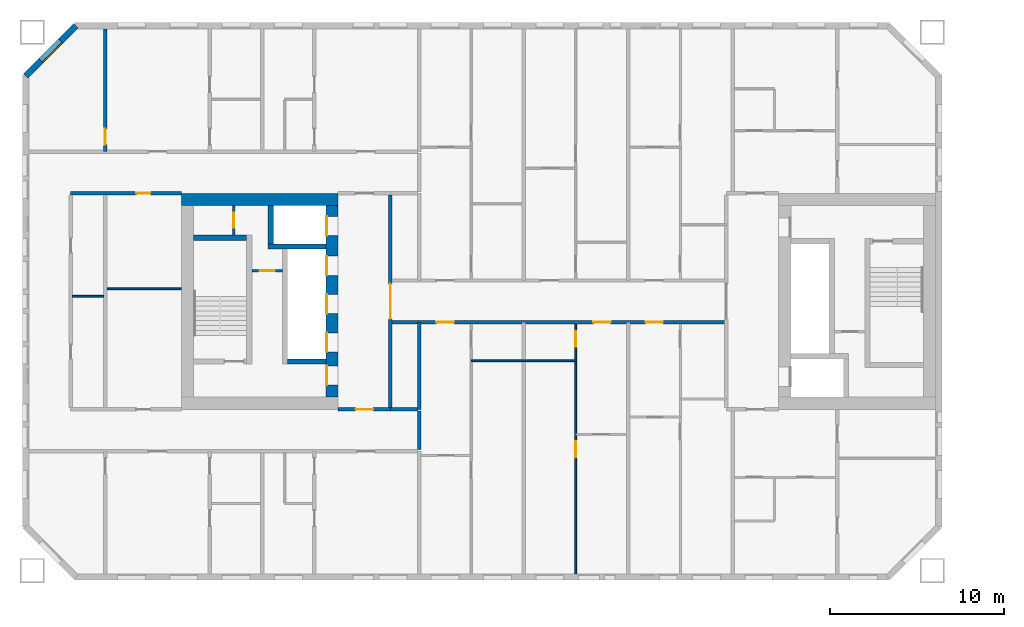
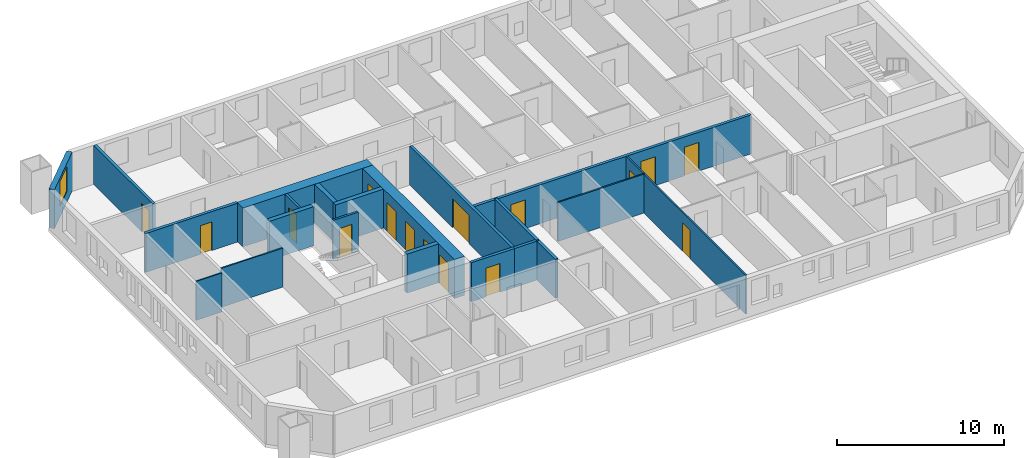
# One storey, part 4 of 17: 21 walls, 16 doors, 1 window, 17 openings.
"""IFC4 building model written with IfcOpenShell, lengths in metres."""

import ifcopenshell
import ifcopenshell.guid

model = None  # the IFC model being written
_history = None  # IfcOwnerHistory: only IFC2X3 demands one
_inside = {}  # id of a spatial element -> (the spatial element, [elements in it])
_under = {}  # id of a project, library or spatial element -> (it, [spatial elements below it])
_declared = {}  # id of a project -> (the project, [libraries it declares])
_typed = {}  # id of a type object -> (the type object, [elements of that type])
_made_of = {}  # id of a material, layer set ... -> (it, [elements and type objects made of it])


def new_model(schema):
    """Start an empty IFC model of exactly this schema.

    Asked for "IFC4X3", IfcOpenShell would pick the latest addendum, in which some entities
    have other attributes; the version numbers below select the first issue.
    IFC2X3 requires an IfcOwnerHistory on every rooted entity: one is made here for all.
    """
    global model, _history
    if schema == "IFC4X3":
        model = ifcopenshell.file(schema_version=(4, 3, 0, 0))
    else:
        model = ifcopenshell.file(schema=schema)
    _inside.clear()
    _under.clear()
    _declared.clear()
    _typed.clear()
    _made_of.clear()
    _history = None
    if model.schema == "IFC2X3":
        org = make("IfcOrganization", Name="unknown")
        user = make(
            "IfcPersonAndOrganization",
            ThePerson=make("IfcPerson", FamilyName="unknown"),
            TheOrganization=org,
        )
        app = make(
            "IfcApplication",
            ApplicationDeveloper=org,
            Version="unknown",
            ApplicationFullName="unknown",
            ApplicationIdentifier="unknown",
        )
        _history = make(
            "IfcOwnerHistory",
            OwningUser=user,
            OwningApplication=app,
            ChangeAction="ADDED",
            CreationDate=0,
        )
    return model


def make(cls, **values):
    """One entity of the class cls with the attributes given. An attribute that is None is left unset."""
    return model.create_entity(
        cls, **{name: value for name, value in values.items() if value is not None}
    )


def rooted(cls, **values):
    """An entity with a GlobalId (a new one), such as an element, a storey or a relation."""
    return make(cls, GlobalId=ifcopenshell.guid.new(), OwnerHistory=_history, **values)


def si_unit(unit_type, name, prefix=None):
    """IfcSIUnit, for example si_unit("LENGTHUNIT", "METRE", prefix="MILLI")."""
    return make("IfcSIUnit", UnitType=unit_type, Prefix=prefix, Name=name)


def assignment(units):
    """IfcUnitAssignment: the units of a project."""
    return None if units is None else make("IfcUnitAssignment", Units=units)


def point(xyz):
    """IfcCartesianPoint."""
    return None if xyz is None else make("IfcCartesianPoint", Coordinates=xyz)


def direction(xyz):
    """IfcDirection."""
    return None if xyz is None else make("IfcDirection", DirectionRatios=xyz)


def frame(location, z_axis=None, x_axis=None):
    """IfcAxis2Placement3D, a coordinate frame: its origin and axes. An axis left out is left unset."""
    return make(
        "IfcAxis2Placement3D",
        Location=point(location),
        Axis=direction(z_axis),
        RefDirection=direction(x_axis),
    )


def frame_2d(location, x_axis=None):
    """IfcAxis2Placement2D, a coordinate frame in the plane: its origin and x axis."""
    return make(
        "IfcAxis2Placement2D", Location=point(location), RefDirection=direction(x_axis)
    )


def origin():
    """The frame at (0, 0, 0) with its axes left unset."""
    return frame((0.0, 0.0, 0.0))


def place(relative_to, where):
    """IfcLocalPlacement: puts the frame where relative to a parent placement (None: the world)."""
    return make(
        "IfcLocalPlacement", PlacementRelTo=relative_to, RelativePlacement=where
    )


def context(
    kind, dimensions, precision=None, world=None, true_north=None, identifier=None
):
    """IfcGeometricRepresentationContext, for example the 3D "Model" context."""
    return make(
        "IfcGeometricRepresentationContext",
        ContextIdentifier=identifier,
        ContextType=kind,
        CoordinateSpaceDimension=dimensions,
        Precision=precision,
        WorldCoordinateSystem=world,
        TrueNorth=true_north,
    )


def subcontext(parent, identifier, kind, view, scale=None):
    """IfcGeometricRepresentationSubContext, for example "Body" below "Model"."""
    return make(
        "IfcGeometricRepresentationSubContext",
        ContextIdentifier=identifier,
        ContextType=kind,
        ParentContext=parent,
        TargetScale=scale,
        TargetView=view,
    )


def project(units=None, contexts=None):
    """IfcProject with its units and contexts."""
    return rooted(
        "IfcProject",
        Name="project",
        RepresentationContexts=contexts,
        UnitsInContext=assignment(units),
    )


def spatial(cls, under=None, at=None, **own):
    """A site, building, storey or space (cls), placed at a placement, below another one or the project."""
    s = rooted(cls, ObjectPlacement=at, **own)
    if under is not None:
        _under.setdefault(under.id(), (under, []))[1].append(s)
    return s


def profile(cls, at=None, kind="AREA", **sizes):
    """A parametric profile (cls). Its sizes go by their IFC names, for example OverallWidth=200.0."""
    return make(cls, ProfileType=kind, Position=at, **sizes)


def rectangle(**sizes):
    """IfcRectangleProfileDef."""
    return profile("IfcRectangleProfileDef", **sizes)


def extrude(swept, where, along, depth):
    """IfcExtrudedAreaSolid: the profile swept, set in the frame where, extruded along a direction by depth."""
    return make(
        "IfcExtrudedAreaSolid",
        SweptArea=swept,
        Position=where,
        ExtrudedDirection=direction(along),
        Depth=depth,
    )


def shape(context_of_items, identifier, shape_type, items):
    """IfcShapeRepresentation: the items that make up one representation, for example the "Body"."""
    return make(
        "IfcShapeRepresentation",
        ContextOfItems=context_of_items,
        RepresentationIdentifier=identifier,
        RepresentationType=shape_type,
        Items=items,
    )


def material(Name=None, Category=None):
    """IfcMaterial."""
    return make("IfcMaterial", Name=Name, Category=Category)


def layer(
    of_material, thickness, ventilated=None, Name=None, Category=None, Priority=None
):
    """IfcMaterialLayer: one layer of a wall or slab, of a material (None: an air gap)."""
    return make(
        "IfcMaterialLayer",
        Material=of_material,
        LayerThickness=thickness,
        IsVentilated=ventilated,
        Name=Name,
        Category=Category,
        Priority=Priority,
    )


def layer_set(layers, Name=None):
    """IfcMaterialLayerSet."""
    return make("IfcMaterialLayerSet", MaterialLayers=layers, LayerSetName=Name)


def made_of(thing, what):
    """Note that an element or type object is made of a material, layer set ...; save() writes the relation."""
    if what is not None:
        _made_of.setdefault(what.id(), (what, []))[1].append(thing)
    return thing


def type_object(cls, material=None, **own):
    """A type object (cls), such as IfcWallType, which elements share."""
    return made_of(rooted(cls, **own), material)


def element(
    cls,
    number,
    at=None,
    inside=None,
    cuts=None,
    type_object=None,
    material=None,
    context=None,
    identifier="Body",
    shape_type=None,
    held_by="IfcProductDefinitionShape",
    body=None,
    shapes=None,
    **own,
):
    """One element of the class cls, such as IfcWall. Its Tag is "e" and its number.

    at: its placement. inside: the storey or other place that contains it. cuts: it is an
    opening in that element (IfcRelVoidsElement). A single representation is given by context,
    identifier, shape_type and body (its items); several are given by shapes. held_by: the class
    of the entity that holds the representations. save() writes the other relations.
    """
    e = rooted(cls, Tag="e%d" % number, ObjectPlacement=at, **own)
    if body is not None:
        shapes = [shape(context, identifier, shape_type, body)]
    if shapes is not None:
        e.Representation = make(held_by, Representations=shapes)
    if inside is not None:
        _inside.setdefault(inside.id(), (inside, []))[1].append(e)
    if cuts is not None:
        rooted(
            "IfcRelVoidsElement", RelatingBuildingElement=cuts, RelatedOpeningElement=e
        )
    if type_object is not None:
        _typed.setdefault(type_object.id(), (type_object, []))[1].append(e)
    return made_of(e, material)


def fill(opening, filler):
    """IfcRelFillsElement: the door or window that sits in an opening."""
    return rooted(
        "IfcRelFillsElement",
        RelatingOpeningElement=opening,
        RelatedBuildingElement=filler,
    )


def aggregate(whole, parts):
    """IfcRelAggregates: a whole, such as a stair, and the parts it consists of."""
    return rooted("IfcRelAggregates", RelatingObject=whole, RelatedObjects=parts)


def save(model, path):
    """Write the relations noted so far, then the file.

    IfcRelAggregates (storeys below a building ...), IfcRelContainedInSpatialStructure (elements
    in a storey), IfcRelDefinesByType, IfcRelAssociatesMaterial and IfcRelDeclares: one each for
    every whole, place, type object, material and project.
    """
    for whole, parts in _under.values():
        aggregate(whole, parts)
    for where, things in _inside.values():
        rooted(
            "IfcRelContainedInSpatialStructure",
            RelatedElements=things,
            RelatingStructure=where,
        )
    for kind, things in _typed.values():
        rooted("IfcRelDefinesByType", RelatedObjects=things, RelatingType=kind)
    for what, things in _made_of.values():
        rooted("IfcRelAssociatesMaterial", RelatedObjects=things, RelatingMaterial=what)
    for by, libraries in _declared.values():
        rooted("IfcRelDeclares", RelatingContext=by, RelatedDefinitions=libraries)
    model.write(path)


model = new_model("IFC4")

# Units and contexts
model_context = context("Model", 3, precision=1e-05, world=origin(), true_north=direction((0.0, 1.0)))
body_context = subcontext(model_context, "Body", "Model", "MODEL_VIEW")
ifc_project = project(units=[si_unit("LENGTHUNIT", "METRE"), si_unit("AREAUNIT", "SQUARE_METRE"), si_unit("VOLUMEUNIT", "CUBIC_METRE"), si_unit("PLANEANGLEUNIT", "RADIAN"), si_unit("MASSUNIT", "GRAM", prefix="KILO")], contexts=[model_context])

# Site, building, storey
site_placement = place(None, origin())
site = spatial("IfcSite", under=ifc_project, at=site_placement, CompositionType="ELEMENT")
building_placement = place(site_placement, origin())
building = spatial("IfcBuilding", under=site, at=building_placement, Name="Tuart Gate Housing", CompositionType="ELEMENT")
storey_placement = place(building_placement, frame((0.0, 0.0, 80.89990234375)))
storey = spatial("IfcBuildingStorey", under=building, at=storey_placement, Name="L22", CompositionType="ELEMENT", Elevation=80.89990234375)

# Wall, opening, window
ifc_material_1 = material(Name="Brick", Category="masonry")
ifc_layer_1 = layer(ifc_material_1, 0.360107421875)
ifc_layer_set_1 = layer_set([ifc_layer_1], Name="Brick pier and spandrel wall 360")
wall_type_1 = type_object("IfcWallType", Name="Brick pier and spandrel wall 360", PredefinedType="STANDARD", material=ifc_layer_set_1)
wall_1_placement = place(storey_placement, frame((26.32470703125, 85.820068359375, 0.0), z_axis=(0.0, 0.0, 1.0), x_axis=(-0.707106781187, -0.707106781187, 0.0)))
wall_1 = element("IfcWall", 1, at=wall_1_placement, inside=storey, type_object=wall_type_1, Name="External wall A-NW L22", PredefinedType="STANDARD", context=body_context, shape_type="SweptSolid", body=[
    extrude(rectangle(XDim=4.09375, YDim=0.360107421875, at=frame_2d((2.046875, 0.0))), origin(), (0.0, 0.0, 1.0), 2.85009765625),
])
opening_1_placement = place(wall_1_placement, frame((1.2470703125, 0.0, 0.800048828125)))
opening_1 = element("IfcOpeningElement", 2, at=opening_1_placement, cuts=wall_1, Name="Opening W1", PredefinedType="OPENING", context=body_context, shape_type="SweptSolid", body=[
    extrude(rectangle(XDim=1.60009765625, YDim=1.800048828125, at=frame_2d((0.800048828125, 0.89990234375))), frame((0.0, 0.18994140625, 0.0), z_axis=(0.0, -1.0, 0.0), x_axis=(1.0, 0.0, 0.0)), (0.0, 0.0, 1.0), 0.380126953125),
])
ifc_material_2 = material(Name="Aluminium frame with clear glass", Category="aluminium")
window_type = type_object("IfcWindowType", Name="Punched window 1600 x 1800", PartitioningType="SINGLE_PANEL", PredefinedType="WINDOW", material=ifc_material_2)
window_placement = place(opening_1_placement, origin())
window = element("IfcWindow", 3, at=window_placement, inside=storey, type_object=window_type, Name="Window W1", OverallHeight=1.800048828125, OverallWidth=1.60009765625, PartitioningType="SINGLE_PANEL", PredefinedType="WINDOW", context=body_context, shape_type="SweptSolid", body=[
    extrude(rectangle(XDim=1.60009765625, YDim=1.800048828125, at=frame_2d((0.800048828125, 0.89990234375))), frame((0.0, 0.150146484375, 0.0), z_axis=(0.0, -1.0, 0.0), x_axis=(1.0, 0.0, 0.0)), (0.0, 0.0, 1.0), 0.06005859375),
])
fill(opening_1, window)

# Wall, opening, door
ifc_material_3 = material(Name="Plasterboard partition")
ifc_layer_2 = layer(ifc_material_3, 0.14990234375)
ifc_layer_set_2 = layer_set([ifc_layer_2], Name="Core partition 150")
wall_type_2 = type_object("IfcWallType", Name="Core partition 150", PredefinedType="PARTITIONING", material=ifc_layer_set_2)
wall_2_placement = place(storey_placement, frame((38.159912109375, 71.75, 0.0), z_axis=(0.0, 0.0, 1.0), x_axis=(-1.0, 0.0, 0.0)))
wall_2 = element("IfcWall", 4, at=wall_2_placement, inside=storey, type_object=wall_type_2, Name="Core partition AK.3", PredefinedType="PARTITIONING", context=body_context, shape_type="SweptSolid", body=[
    extrude(rectangle(XDim=1.75, YDim=0.14990234375, at=frame_2d((0.875, 0.0))), origin(), (0.0, 0.0, 1.0), 2.85009765625),
])
opening_2_placement = place(wall_2_placement, frame((0.449951171875, 0.0, 0.0)))
opening_2 = element("IfcOpeningElement", 5, at=opening_2_placement, cuts=wall_2, Name="Opening D975", PredefinedType="OPENING", context=body_context, shape_type="SweptSolid", body=[
    extrude(rectangle(XDim=0.85009765625, YDim=2.10009765625, at=frame_2d((0.425048828125, 1.050048828125))), frame((0.0, 0.0849609375, 0.0), z_axis=(0.0, -1.0, 0.0), x_axis=(1.0, 0.0, 0.0)), (0.0, 0.0, 1.0), 0.169921875),
])
ifc_material_4 = material(Name="Steel fire door", Category="steel")
door_type_1 = type_object("IfcDoorType", Name="Riser door 850 x 2100 RH", OperationType="SINGLE_SWING_RIGHT", PredefinedType="DOOR", material=ifc_material_4)
door_1_placement = place(opening_2_placement, frame((0.85009765625, 0.0, 0.0), z_axis=(0.0, 0.0, 1.0), x_axis=(-1.0, 0.0, 0.0)))
door_1 = element("IfcDoor", 6, at=door_1_placement, inside=storey, type_object=door_type_1, Name="Service room door AK.E1", OperationType="SINGLE_SWING_RIGHT", OverallHeight=2.10009765625, OverallWidth=0.85009765625, PredefinedType="DOOR", context=body_context, shape_type="SweptSolid", body=[
    extrude(rectangle(XDim=0.85009765625, YDim=2.10009765625, at=frame_2d((0.425048828125, 1.050048828125))), frame((0.0, 0.025146484375, 0.0), z_axis=(0.0, -1.0, 0.0), x_axis=(1.0, 0.0, 0.0)), (0.0, 0.0, 1.0), 0.050048828125),
])
fill(opening_2, door_1)

wall_3_placement = place(storey_placement, frame((35.360107421875, 75.5, 0.0), z_axis=(0.0, 0.0, 1.0), x_axis=(0.0, -1.0, 0.0)))
wall_3 = element("IfcWall", 7, at=wall_3_placement, inside=storey, type_object=wall_type_2, Name="Core partition AK.9", PredefinedType="PARTITIONING", context=body_context, shape_type="SweptSolid", body=[
    extrude(rectangle(XDim=1.699951171875, YDim=0.14990234375, at=frame_2d((0.85009765625, 0.0))), origin(), (0.0, 0.0, 1.0), 2.85009765625),
])
opening_3_placement = place(wall_3_placement, frame((0.425048828125, 0.0, 0.0)))
opening_3 = element("IfcOpeningElement", 8, at=opening_3_placement, cuts=wall_3, Name="Opening D973", PredefinedType="OPENING", context=body_context, shape_type="SweptSolid", body=[
    extrude(rectangle(XDim=0.85009765625, YDim=2.10009765625, at=frame_2d((0.425048828125, 1.050048828125))), frame((0.0, 0.0849609375, 0.0), z_axis=(0.0, -1.0, 0.0), x_axis=(1.0, 0.0, 0.0)), (0.0, 0.0, 1.0), 0.169921875),
])
ifc_material_5 = material(Name="Steel fire door", Category="steel")
door_type_2 = type_object("IfcDoorType", Name="Service door 850 x 2100", OperationType="SINGLE_SWING_LEFT", PredefinedType="DOOR", material=ifc_material_5)
door_2_placement = place(opening_3_placement, origin())
door_2 = element("IfcDoor", 9, at=door_2_placement, inside=storey, type_object=door_type_2, Name="Service room door AK.E2", OperationType="SINGLE_SWING_LEFT", OverallHeight=2.10009765625, OverallWidth=0.85009765625, PredefinedType="DOOR", context=body_context, shape_type="SweptSolid", body=[
    extrude(rectangle(XDim=0.85009765625, YDim=2.10009765625, at=frame_2d((0.425048828125, 1.050048828125))), frame((0.0, 0.02490234375, 0.0), z_axis=(0.0, -1.0, 0.0), x_axis=(1.0, 0.0, 0.0)), (0.0, 0.0, 1.0), 0.050048828125),
])
fill(opening_3, door_2)

# Walls
ifc_material_6 = material(Name="Concrete C50", Category="concrete")
ifc_layer_3 = layer(ifc_material_6, 0.300048828125)
ifc_layer_set_3 = layer_set([ifc_layer_3], Name="Core wall 300 C50")
wall_type_3 = type_object("IfcWallType", Name="Core wall 300 C50", PredefinedType="SHEAR", material=ifc_layer_set_3)
wall_4_placement = place(storey_placement, frame((36.110107421875, 73.64990234375, 0.0), z_axis=(0.0, 0.0, 1.0), x_axis=(-1.0, 0.0, 0.0)))
element("IfcWall", 10, at=wall_4_placement, inside=storey, type_object=wall_type_3, Name="Core wall AK.1", PredefinedType="SHEAR", context=body_context, shape_type="SweptSolid", body=[
    extrude(rectangle(XDim=3.050048828125, YDim=0.300048828125, at=frame_2d((1.52490234375, 0.0))), origin(), (0.0, 0.0, 1.0), 2.85009765625),
])
wall_5_placement = place(storey_placement, frame((40.659912109375, 73.14990234375, 0.0), z_axis=(0.0, 0.0, 1.0), x_axis=(-1.0, 0.0, 0.0)))
element("IfcWall", 11, at=wall_5_placement, inside=storey, type_object=wall_type_3, Name="Core wall AK.2", PredefinedType="SHEAR", context=body_context, shape_type="SweptSolid", body=[
    extrude(rectangle(XDim=3.31982421875, YDim=0.300048828125, at=frame_2d((1.659912109375, 0.0))), origin(), (0.0, 0.0, 1.0), 2.85009765625),
])
for number, where, z_axis, x_axis, name in (
    (12, (40.659912109375, 66.550048828125, 0.0), (0.0, 0.0, 1.0), (-1.0, 0.0, 0.0), "Core wall AK.4"),
    (13, (37.489990234375, 75.5, 0.0), (0.0, 0.0, 1.0), (0.0, -1.0, 0.0), "Core wall AK.7"),
):
    element("IfcWall", number, at=place(storey_placement, frame(where, z_axis=z_axis, x_axis=x_axis)), inside=storey, type_object=wall_type_3, Name=name, PredefinedType="SHEAR", context=body_context, shape_type="SweptSolid", body=[
        extrude(rectangle(XDim=2.199951171875, YDim=0.300048828125, at=frame_2d((1.10009765625, 0.0))), origin(), (0.0, 0.0, 1.0), 2.85009765625),
    ])

# Wall, openings, doors
ifc_material_7 = material(Name="Concrete C50", Category="concrete")
ifc_layer_4 = layer(ifc_material_7, 0.699951171875)
ifc_layer_set_4 = layer_set([ifc_layer_4], Name="Core wall 700 C50")
wall_type_4 = type_object("IfcWallType", Name="Core wall 700 C50", PredefinedType="SHEAR", material=ifc_layer_set_4)
wall_6_placement = place(storey_placement, frame((41.010009765625, 75.5, 0.0), z_axis=(0.0, 0.0, 1.0), x_axis=(0.0, -1.0, 0.0)))
wall_6 = element("IfcWall", 14, at=wall_6_placement, inside=storey, type_object=wall_type_4, Name="Core wall AK front", PredefinedType="SHEAR", context=body_context, shape_type="SweptSolid", body=[
    extrude(rectangle(XDim=11.0, YDim=0.699951171875, at=frame_2d((5.5, 0.0))), origin(), (0.0, 0.0, 1.0), 2.85009765625),
])
opening_4_placement = place(wall_6_placement, frame((0.625, 0.0, 0.0)))
opening_4 = element("IfcOpeningElement", 15, at=opening_4_placement, cuts=wall_6, Name="Opening LD-FA2", PredefinedType="OPENING", context=body_context, shape_type="SweptSolid", body=[
    extrude(rectangle(XDim=1.10009765625, YDim=2.10009765625, at=frame_2d((0.550048828125, 1.050048828125))), frame((0.0, 0.35986328125, 0.0), z_axis=(0.0, -1.0, 0.0), x_axis=(1.0, 0.0, 0.0)), (0.0, 0.0, 1.0), 0.719970703125),
])
opening_5_placement = place(wall_6_placement, frame((2.89990234375, 0.0, 0.0)))
opening_5 = element("IfcOpeningElement", 16, at=opening_5_placement, cuts=wall_6, Name="Opening LD-LA4", PredefinedType="OPENING", context=body_context, shape_type="SweptSolid", body=[
    extrude(rectangle(XDim=1.10009765625, YDim=2.10009765625, at=frame_2d((0.550048828125, 1.050048828125))), frame((0.0, 0.35986328125, 0.0), z_axis=(0.0, -1.0, 0.0), x_axis=(1.0, 0.0, 0.0)), (0.0, 0.0, 1.0), 0.719970703125),
])
opening_6_placement = place(wall_6_placement, frame((5.10009765625, 0.0, 0.0)))
opening_6 = element("IfcOpeningElement", 17, at=opening_6_placement, cuts=wall_6, Name="Opening LD-LA5", PredefinedType="OPENING", context=body_context, shape_type="SweptSolid", body=[
    extrude(rectangle(XDim=1.10009765625, YDim=2.10009765625, at=frame_2d((0.550048828125, 1.050048828125))), frame((0.0, 0.35986328125, 0.0), z_axis=(0.0, -1.0, 0.0), x_axis=(1.0, 0.0, 0.0)), (0.0, 0.0, 1.0), 0.719970703125),
])
opening_7_placement = place(wall_6_placement, frame((7.300048828125, 0.0, 0.0)))
opening_7 = element("IfcOpeningElement", 18, at=opening_7_placement, cuts=wall_6, Name="Opening LD-LA6", PredefinedType="OPENING", context=body_context, shape_type="SweptSolid", body=[
    extrude(rectangle(XDim=1.10009765625, YDim=2.10009765625, at=frame_2d((0.550048828125, 1.050048828125))), frame((0.0, 0.35986328125, 0.0), z_axis=(0.0, -1.0, 0.0), x_axis=(1.0, 0.0, 0.0)), (0.0, 0.0, 1.0), 0.719970703125),
])
opening_8_placement = place(wall_6_placement, frame((9.199951171875, 0.0, 0.0)))
opening_8 = element("IfcOpeningElement", 19, at=opening_8_placement, cuts=wall_6, Name="Opening D981", PredefinedType="OPENING", context=body_context, shape_type="SweptSolid", body=[
    extrude(rectangle(XDim=1.10009765625, YDim=2.10009765625, at=frame_2d((0.550048828125, 1.050048828125))), frame((0.0, 0.35986328125, 0.0), z_axis=(0.0, -1.0, 0.0), x_axis=(1.0, 0.0, 0.0)), (0.0, 0.0, 1.0), 0.719970703125),
])
ifc_material_8 = material(Name="Stainless steel", Category="steel")
door_type_3 = type_object("IfcDoorType", Name="Landing door 1100 x 2100", OperationType="DOUBLE_DOOR_SLIDING", PredefinedType="DOOR", material=ifc_material_8)
door_3_placement = place(opening_4_placement, origin())
door_3 = element("IfcDoor", 20, at=door_3_placement, inside=storey, type_object=door_type_3, Name="Lift landing door FA2", OperationType="DOUBLE_DOOR_SLIDING", OverallHeight=2.10009765625, OverallWidth=1.10009765625, PredefinedType="DOOR", context=body_context, shape_type="SweptSolid", body=[
    extrude(rectangle(XDim=1.10009765625, YDim=2.10009765625, at=frame_2d((0.550048828125, 1.050048828125))), frame((0.0, -0.28515625, 0.0), z_axis=(0.0, -1.0, 0.0), x_axis=(1.0, 0.0, 0.0)), (0.0, 0.0, 1.0), 0.050048828125),
])
fill(opening_4, door_3)
door_4_placement = place(opening_5_placement, origin())
door_4 = element("IfcDoor", 21, at=door_4_placement, inside=storey, type_object=door_type_3, Name="Lift landing door LA4", OperationType="DOUBLE_DOOR_SLIDING", OverallHeight=2.10009765625, OverallWidth=1.10009765625, PredefinedType="DOOR", context=body_context, shape_type="SweptSolid", body=[
    extrude(rectangle(XDim=1.10009765625, YDim=2.10009765625, at=frame_2d((0.550048828125, 1.050048828125))), frame((0.0, -0.28515625, 0.0), z_axis=(0.0, -1.0, 0.0), x_axis=(1.0, 0.0, 0.0)), (0.0, 0.0, 1.0), 0.050048828125),
])
fill(opening_5, door_4)
door_5_placement = place(opening_6_placement, origin())
door_5 = element("IfcDoor", 22, at=door_5_placement, inside=storey, type_object=door_type_3, Name="Lift landing door LA5", OperationType="DOUBLE_DOOR_SLIDING", OverallHeight=2.10009765625, OverallWidth=1.10009765625, PredefinedType="DOOR", context=body_context, shape_type="SweptSolid", body=[
    extrude(rectangle(XDim=1.10009765625, YDim=2.10009765625, at=frame_2d((0.550048828125, 1.050048828125))), frame((0.0, -0.28515625, 0.0), z_axis=(0.0, -1.0, 0.0), x_axis=(1.0, 0.0, 0.0)), (0.0, 0.0, 1.0), 0.050048828125),
])
fill(opening_6, door_5)
door_6_placement = place(opening_7_placement, origin())
door_6 = element("IfcDoor", 23, at=door_6_placement, inside=storey, type_object=door_type_3, Name="Lift landing door LA6", OperationType="DOUBLE_DOOR_SLIDING", OverallHeight=2.10009765625, OverallWidth=1.10009765625, PredefinedType="DOOR", context=body_context, shape_type="SweptSolid", body=[
    extrude(rectangle(XDim=1.10009765625, YDim=2.10009765625, at=frame_2d((0.550048828125, 1.050048828125))), frame((0.0, -0.28515625, 0.0), z_axis=(0.0, -1.0, 0.0), x_axis=(1.0, 0.0, 0.0)), (0.0, 0.0, 1.0), 0.050048828125),
])
fill(opening_7, door_6)
ifc_material_9 = material(Name="Steel fire door", Category="steel")
door_type_4 = type_object("IfcDoorType", Name="Lobby door 1100 x 2100 RH", OperationType="SINGLE_SWING_RIGHT", PredefinedType="DOOR", material=ifc_material_9)
door_7_placement = place(opening_8_placement, frame((1.10009765625, 0.0, 0.0), z_axis=(0.0, 0.0, 1.0), x_axis=(-1.0, 0.0, 0.0)))
door_7 = element("IfcDoor", 24, at=door_7_placement, inside=storey, type_object=door_type_4, Name="Lobby entry door AK.EN", OperationType="SINGLE_SWING_RIGHT", OverallHeight=2.10009765625, OverallWidth=1.10009765625, PredefinedType="DOOR", context=body_context, shape_type="SweptSolid", body=[
    extrude(rectangle(XDim=1.10009765625, YDim=2.10009765625, at=frame_2d((0.550048828125, 1.050048828125))), frame((0.0, 0.335205078125, 0.0), z_axis=(0.0, -1.0, 0.0), x_axis=(1.0, 0.0, 0.0)), (0.0, 0.0, 1.0), 0.050048828125),
])
fill(opening_8, door_7)

# Walls
wall_7_placement = place(storey_placement, frame((41.360107421875, 75.85009765625, 0.0), z_axis=(0.0, 0.0, 1.0), x_axis=(-1.0, 0.0, 0.0)))
element("IfcWall", 25, at=wall_7_placement, inside=storey, type_object=wall_type_4, Name="Core wall AK south", PredefinedType="SHEAR", context=body_context, shape_type="SweptSolid", body=[
    extrude(rectangle(XDim=9.0, YDim=0.699951171875, at=frame_2d((4.5, 0.0))), origin(), (0.0, 0.0, 1.0), 2.85009765625),
])
ifc_material_10 = material(Name="Concrete masonry 15 MPa", Category="masonry")
ifc_layer_5 = layer(ifc_material_10, 0.199951171875)
ifc_layer_set_5 = layer_set([ifc_layer_5], Name="Corridor wall masonry 200")
wall_type_5 = type_object("IfcWallType", Name="Corridor wall masonry 200", PredefinedType="PARTITIONING", material=ifc_layer_set_5)
wall_8_placement = place(storey_placement, frame((44.360107421875, 63.800048828125, 0.0), z_axis=(0.0, 0.0, 1.0), x_axis=(1.0, 0.0, 0.0)))
element("IfcWall", 26, at=wall_8_placement, inside=storey, type_object=wall_type_5, Name="Corridor wall masonry 200", PredefinedType="PARTITIONING", context=body_context, shape_type="SweptSolid", body=[
    extrude(rectangle(XDim=1.539794921875, YDim=0.199951171875, at=frame_2d((0.77001953125, 0.0))), origin(), (0.0, 0.0, 1.0), 2.85009765625),
])

# Wall, openings, doors
wall_9_placement = place(storey_placement, frame((44.360107421875, 68.800048828125, 0.0), z_axis=(0.0, 0.0, 1.0), x_axis=(1.0, 0.0, 0.0)))
wall_9 = element("IfcWall", 27, at=wall_9_placement, inside=storey, type_object=wall_type_5, Name="Corridor wall masonry 200", PredefinedType="PARTITIONING", context=body_context, shape_type="SweptSolid", body=[
    extrude(rectangle(XDim=19.27978515625, YDim=0.199951171875, at=frame_2d((9.639892578125, 0.0))), origin(), (0.0, 0.0, 1.0), 2.85009765625),
])
opening_9_placement = place(wall_9_placement, frame((14.639892578125, 0.0, 0.0)))
opening_9 = element("IfcOpeningElement", 28, at=opening_9_placement, cuts=wall_9, Name="Opening D985", PredefinedType="OPENING", context=body_context, shape_type="SweptSolid", body=[
    extrude(rectangle(XDim=1.0, YDim=2.10009765625, at=frame_2d((0.5, 1.050048828125))), frame((0.0, 0.10986328125, 0.0), z_axis=(0.0, -1.0, 0.0), x_axis=(1.0, 0.0, 0.0)), (0.0, 0.0, 1.0), 0.219970703125),
])
opening_10_placement = place(wall_9_placement, frame((11.639892578125, 0.0, 0.0)))
opening_10 = element("IfcOpeningElement", 29, at=opening_10_placement, cuts=wall_9, Name="Opening D986", PredefinedType="OPENING", context=body_context, shape_type="SweptSolid", body=[
    extrude(rectangle(XDim=1.0, YDim=2.10009765625, at=frame_2d((0.5, 1.050048828125))), frame((0.0, 0.10986328125, 0.0), z_axis=(0.0, -1.0, 0.0), x_axis=(1.0, 0.0, 0.0)), (0.0, 0.0, 1.0), 0.219970703125),
])
opening_11_placement = place(wall_9_placement, frame((2.639892578125, 0.0, 0.0)))
opening_11 = element("IfcOpeningElement", 30, at=opening_11_placement, cuts=wall_9, Name="Opening D987", PredefinedType="OPENING", context=body_context, shape_type="SweptSolid", body=[
    extrude(rectangle(XDim=1.0, YDim=2.10009765625, at=frame_2d((0.5, 1.050048828125))), frame((0.0, 0.10986328125, 0.0), z_axis=(0.0, -1.0, 0.0), x_axis=(1.0, 0.0, 0.0)), (0.0, 0.0, 1.0), 0.219970703125),
])
ifc_material_11 = material(Name="Timber door leaf in steel frame", Category="steel")
door_type_5 = type_object("IfcDoorType", Name="Flat entrance door 1000 RH", OperationType="SINGLE_SWING_RIGHT", PredefinedType="DOOR", material=ifc_material_11)
door_8_placement = place(opening_9_placement, frame((1.0, 0.0, 0.0), z_axis=(0.0, 0.0, 1.0), x_axis=(-1.0, 0.0, 0.0)))
door_8 = element("IfcDoor", 31, at=door_8_placement, inside=storey, type_object=door_type_5, Name="Flat entrance door", OperationType="SINGLE_SWING_RIGHT", OverallHeight=2.10009765625, OverallWidth=1.0, PredefinedType="DOOR", context=body_context, shape_type="SweptSolid", body=[
    extrude(rectangle(XDim=1.0, YDim=2.10009765625, at=frame_2d((0.5, 1.050048828125))), frame((0.0, 0.025146484375, 0.0), z_axis=(0.0, -1.0, 0.0), x_axis=(1.0, 0.0, 0.0)), (0.0, 0.0, 1.0), 0.050048828125),
])
fill(opening_9, door_8)
door_9_placement = place(opening_10_placement, frame((1.0, 0.0, 0.0), z_axis=(0.0, 0.0, 1.0), x_axis=(-1.0, 0.0, 0.0)))
door_9 = element("IfcDoor", 32, at=door_9_placement, inside=storey, type_object=door_type_5, Name="Flat entrance door", OperationType="SINGLE_SWING_RIGHT", OverallHeight=2.10009765625, OverallWidth=1.0, PredefinedType="DOOR", context=body_context, shape_type="SweptSolid", body=[
    extrude(rectangle(XDim=1.0, YDim=2.10009765625, at=frame_2d((0.5, 1.050048828125))), frame((0.0, 0.025146484375, 0.0), z_axis=(0.0, -1.0, 0.0), x_axis=(1.0, 0.0, 0.0)), (0.0, 0.0, 1.0), 0.050048828125),
])
fill(opening_10, door_9)
door_10_placement = place(opening_11_placement, frame((1.0, 0.0, 0.0), z_axis=(0.0, 0.0, 1.0), x_axis=(-1.0, 0.0, 0.0)))
door_10 = element("IfcDoor", 33, at=door_10_placement, inside=storey, type_object=door_type_5, Name="Flat entrance door", OperationType="SINGLE_SWING_RIGHT", OverallHeight=2.10009765625, OverallWidth=1.0, PredefinedType="DOOR", context=body_context, shape_type="SweptSolid", body=[
    extrude(rectangle(XDim=1.0, YDim=2.10009765625, at=frame_2d((0.5, 1.050048828125))), frame((0.0, 0.025146484375, 0.0), z_axis=(0.0, -1.0, 0.0), x_axis=(1.0, 0.0, 0.0)), (0.0, 0.0, 1.0), 0.050048828125),
])
fill(opening_11, door_10)

# Wall, opening, door
wall_10_placement = place(storey_placement, frame((26.010009765625, 76.199951171875, 0.0), z_axis=(0.0, 0.0, 1.0), x_axis=(1.0, 0.0, 0.0)))
wall_10 = element("IfcWall", 34, at=wall_10_placement, inside=storey, type_object=wall_type_5, Name="Corridor wall masonry 200", PredefinedType="PARTITIONING", context=body_context, shape_type="SweptSolid", body=[
    extrude(rectangle(XDim=6.35009765625, YDim=0.199951171875, at=frame_2d((3.175048828125, 0.0))), origin(), (0.0, 0.0, 1.0), 2.85009765625),
])
opening_12_placement = place(wall_10_placement, frame((3.77001953125, 0.0, 0.0)))
opening_12 = element("IfcOpeningElement", 35, at=opening_12_placement, cuts=wall_10, Name="Opening D970", PredefinedType="OPENING", context=body_context, shape_type="SweptSolid", body=[
    extrude(rectangle(XDim=0.800048828125, YDim=2.10009765625, at=frame_2d((0.39990234375, 1.050048828125))), frame((0.0, 0.10986328125, 0.0), z_axis=(0.0, -1.0, 0.0), x_axis=(1.0, 0.0, 0.0)), (0.0, 0.0, 1.0), 0.219970703125),
])
ifc_material_12 = material(Name="Timber door leaf in steel frame", Category="steel")
door_type_6 = type_object("IfcDoorType", Name="Store door 800 RH", OperationType="SINGLE_SWING_RIGHT", PredefinedType="DOOR", material=ifc_material_12)
door_11_placement = place(opening_12_placement, frame((0.800048828125, 0.0, 0.0), z_axis=(0.0, 0.0, 1.0), x_axis=(-1.0, 0.0, 0.0)))
door_11 = element("IfcDoor", 36, at=door_11_placement, inside=storey, type_object=door_type_6, Name="Store door", OperationType="SINGLE_SWING_RIGHT", OverallHeight=2.10009765625, OverallWidth=0.800048828125, PredefinedType="DOOR", context=body_context, shape_type="SweptSolid", body=[
    extrude(rectangle(XDim=0.800048828125, YDim=2.10009765625, at=frame_2d((0.400146484375, 1.050048828125))), frame((0.0, 0.025146484375, 0.0), z_axis=(0.0, -1.0, 0.0), x_axis=(1.0, 0.0, 0.0)), (0.0, 0.0, 1.0), 0.050048828125),
])
fill(opening_12, door_11)

# Wall
wall_11_placement = place(storey_placement, frame((46.0, 61.5, 0.0), z_axis=(0.0, 0.0, 1.0), x_axis=(0.0, 1.0, 0.0)))
element("IfcWall", 37, at=wall_11_placement, inside=storey, type_object=wall_type_5, Name="Corridor wall masonry 200", PredefinedType="PARTITIONING", context=body_context, shape_type="SweptSolid", body=[
    extrude(rectangle(XDim=2.199951171875, YDim=0.199951171875, at=frame_2d((1.10009765625, 0.0))), origin(), (0.0, 0.0, 1.0), 2.85009765625),
])

# Wall, opening, door
ifc_material_13 = material(Name="Concrete masonry 15 MPa", Category="masonry")
ifc_layer_6 = layer(ifc_material_13, 0.199951171875)
ifc_layer_set_6 = layer_set([ifc_layer_6], Name="Enclosure wall masonry 200")
wall_type_6 = type_object("IfcWallType", Name="Enclosure wall masonry 200", PredefinedType="PARTITIONING", material=ifc_layer_set_6)
wall_12_placement = place(storey_placement, frame((41.360107421875, 63.800048828125, 0.0), z_axis=(0.0, 0.0, 1.0), x_axis=(1.0, 0.0, 0.0)))
wall_12 = element("IfcWall", 38, at=wall_12_placement, inside=storey, type_object=wall_type_6, Name="Enclosure wall masonry 200", PredefinedType="PARTITIONING", context=body_context, shape_type="SweptSolid", body=[
    extrude(rectangle(XDim=3.0, YDim=0.199951171875, at=frame_2d((1.5, 0.0))), origin(), (0.0, 0.0, 1.0), 2.85009765625),
])
opening_13_placement = place(wall_12_placement, frame((1.0, 0.0, 0.0)))
opening_13 = element("IfcOpeningElement", 39, at=opening_13_placement, cuts=wall_12, Name="Opening D991", PredefinedType="OPENING", context=body_context, shape_type="SweptSolid", body=[
    extrude(rectangle(XDim=1.0, YDim=2.10009765625, at=frame_2d((0.5, 1.050048828125))), frame((0.0, 0.10986328125, 0.0), z_axis=(0.0, -1.0, 0.0), x_axis=(1.0, 0.0, 0.0)), (0.0, 0.0, 1.0), 0.219970703125),
])
ifc_material_14 = material(Name="Timber door leaf in steel frame", Category="steel")
door_type_7 = type_object("IfcDoorType", Name="Fire door 1000", OperationType="SINGLE_SWING_LEFT", PredefinedType="DOOR", material=ifc_material_14)
door_12_placement = place(opening_13_placement, frame((1.0, 0.0, 0.0), z_axis=(0.0, 0.0, 1.0), x_axis=(-1.0, 0.0, 0.0)))
door_12 = element("IfcDoor", 40, at=door_12_placement, inside=storey, type_object=door_type_7, Name="Fire door", OperationType="SINGLE_SWING_LEFT", OverallHeight=2.10009765625, OverallWidth=1.0, PredefinedType="DOOR", context=body_context, shape_type="SweptSolid", body=[
    extrude(rectangle(XDim=1.0, YDim=2.10009765625, at=frame_2d((0.5, 1.050048828125))), frame((0.0, 0.025146484375, 0.0), z_axis=(0.0, -1.0, 0.0), x_axis=(1.0, 0.0, 0.0)), (0.0, 0.0, 1.0), 0.050048828125),
])
fill(opening_13, door_12)

ifc_material_15 = material(Name="Plasterboard partition")
ifc_layer_7 = layer(ifc_material_15, 0.199951171875)
ifc_layer_set_7 = layer_set([ifc_layer_7], Name="Lobby wall 200")
wall_type_7 = type_object("IfcWallType", Name="Lobby wall 200", PredefinedType="PARTITIONING", material=ifc_layer_set_7)
wall_13_placement = place(storey_placement, frame((44.360107421875, 63.89990234375, 0.0), z_axis=(0.0, 0.0, 1.0), x_axis=(0.0, 1.0, 0.0)))
wall_13 = element("IfcWall", 41, at=wall_13_placement, inside=storey, type_object=wall_type_7, Name="Lift lobby wall AK", PredefinedType="PARTITIONING", context=body_context, shape_type="SweptSolid", body=[
    extrude(rectangle(XDim=12.2001953125, YDim=0.199951171875, at=frame_2d((6.10009765625, 0.0))), origin(), (0.0, 0.0, 1.0), 2.85009765625),
])
opening_14_placement = place(wall_13_placement, frame((5.10009765625, 0.0, 0.0)))
opening_14 = element("IfcOpeningElement", 42, at=opening_14_placement, cuts=wall_13, Name="Opening D982", PredefinedType="OPENING", context=body_context, shape_type="SweptSolid", body=[
    extrude(rectangle(XDim=2.0, YDim=2.10009765625, at=frame_2d((1.0, 1.050048828125))), frame((0.0, 0.10986328125, 0.0), z_axis=(0.0, -1.0, 0.0), x_axis=(1.0, 0.0, 0.0)), (0.0, 0.0, 1.0), 0.219970703125),
])
ifc_material_16 = material(Name="Steel fire door", Category="steel")
door_type_8 = type_object("IfcDoorType", Name="Smoke door 2000 x 2100", OperationType="DOUBLE_DOOR_SINGLE_SWING", PredefinedType="DOOR", material=ifc_material_16)
door_13_placement = place(opening_14_placement, origin())
door_13 = element("IfcDoor", 43, at=door_13_placement, inside=storey, type_object=door_type_8, Name="Lift lobby smoke door AK", OperationType="DOUBLE_DOOR_SINGLE_SWING", OverallHeight=2.10009765625, OverallWidth=2.0, PredefinedType="DOOR", context=body_context, shape_type="SweptSolid", body=[
    extrude(rectangle(XDim=2.0, YDim=2.10009765625, at=frame_2d((1.0, 1.050048828125))), frame((0.0, 0.02490234375, 0.0), z_axis=(0.0, -1.0, 0.0), x_axis=(1.0, 0.0, 0.0)), (0.0, 0.0, 1.0), 0.050048828125),
])
fill(opening_14, door_13)

# Walls
ifc_material_17 = material(Name="Gypsum board on steel studs", Category="steel")
ifc_layer_8 = layer(ifc_material_17, 0.10009765625)
ifc_layer_set_8 = layer_set([ifc_layer_8], Name="Partition 100")
wall_type_8 = type_object("IfcWallType", Name="Partition 100", PredefinedType="PARTITIONING", material=ifc_layer_set_8)
wall_14_placement = place(storey_placement, frame((49.0, 66.60009765625, 0.0), z_axis=(0.0, 0.0, 1.0), x_axis=(1.0, 0.0, 0.0)))
element("IfcWall", 44, at=wall_14_placement, inside=storey, type_object=wall_type_8, Name="Partition 100", PredefinedType="PARTITIONING", context=body_context, shape_type="SweptSolid", body=[
    extrude(rectangle(XDim=6.0, YDim=0.10009765625, at=frame_2d((3.0, 0.0))), origin(), (0.0, 0.0, 1.0), 2.85009765625),
])
wall_15_placement = place(storey_placement, frame((26.110107421875, 70.300048828125, 0.0), z_axis=(0.0, 0.0, 1.0), x_axis=(1.0, 0.0, 0.0)))
element("IfcWall", 45, at=wall_15_placement, inside=storey, type_object=wall_type_8, Name="Partition 100", PredefinedType="PARTITIONING", context=body_context, shape_type="SweptSolid", body=[
    extrude(rectangle(XDim=1.789794921875, YDim=0.10009765625, at=frame_2d((0.89501953125, 0.0))), origin(), (0.0, 0.0, 1.0), 2.85009765625),
])
wall_16_placement = place(storey_placement, frame((28.10009765625, 70.72998046875, 0.0), z_axis=(0.0, 0.0, 1.0), x_axis=(1.0, 0.0, 0.0)))
element("IfcWall", 46, at=wall_16_placement, inside=storey, type_object=wall_type_8, Name="Partition 100", PredefinedType="PARTITIONING", context=body_context, shape_type="SweptSolid", body=[
    extrude(rectangle(XDim=4.260009765625, YDim=0.10009765625, at=frame_2d((2.1298828125, 0.0))), origin(), (0.0, 0.0, 1.0), 2.85009765625),
])

# Wall, openings, doors
wall_17_placement = place(storey_placement, frame((55.0, 54.360107421875, 0.0), z_axis=(0.0, 0.0, 1.0), x_axis=(0.0, 1.0, 0.0)))
wall_17 = element("IfcWall", 47, at=wall_17_placement, inside=storey, type_object=wall_type_8, Name="Partition 100", PredefinedType="PARTITIONING", context=body_context, shape_type="SweptSolid", body=[
    extrude(rectangle(XDim=14.33984375, YDim=0.10009765625, at=frame_2d((7.169921875, 0.0))), origin(), (0.0, 0.0, 1.0), 2.85009765625),
])
opening_15_placement = place(wall_17_placement, frame((6.699951171875, 0.0, 0.0)))
opening_15 = element("IfcOpeningElement", 48, at=opening_15_placement, cuts=wall_17, Name="Opening D998", PredefinedType="OPENING", context=body_context, shape_type="SweptSolid", body=[
    extrude(rectangle(XDim=0.89990234375, YDim=2.10009765625, at=frame_2d((0.449951171875, 1.050048828125))), frame((0.0, 0.06005859375, 0.0), z_axis=(0.0, -1.0, 0.0), x_axis=(1.0, 0.0, 0.0)), (0.0, 0.0, 1.0), 0.1201171875),
])
opening_16_placement = place(wall_17_placement, frame((13.0400390625, 0.0, 0.0)))
opening_16 = element("IfcOpeningElement", 49, at=opening_16_placement, cuts=wall_17, Name="Opening D997", PredefinedType="OPENING", context=body_context, shape_type="SweptSolid", body=[
    extrude(rectangle(XDim=0.89990234375, YDim=2.10009765625, at=frame_2d((0.449951171875, 1.050048828125))), frame((0.0, 0.06005859375, 0.0), z_axis=(0.0, -1.0, 0.0), x_axis=(1.0, 0.0, 0.0)), (0.0, 0.0, 1.0), 0.1201171875),
])
ifc_material_18 = material(Name="Timber door leaf in steel frame", Category="steel")
door_type_9 = type_object("IfcDoorType", Name="Bathroom door 900 RH", OperationType="SINGLE_SWING_RIGHT", PredefinedType="DOOR", material=ifc_material_18)
door_14_placement = place(opening_16_placement, origin())
door_14 = element("IfcDoor", 50, at=door_14_placement, inside=storey, type_object=door_type_9, Name="Bathroom door", OperationType="SINGLE_SWING_RIGHT", OverallHeight=2.10009765625, OverallWidth=0.89990234375, PredefinedType="DOOR", context=body_context, shape_type="SweptSolid", body=[
    extrude(rectangle(XDim=0.89990234375, YDim=2.10009765625, at=frame_2d((0.449951171875, 1.050048828125))), frame((0.0, 0.02490234375, 0.0), z_axis=(0.0, -1.0, 0.0), x_axis=(1.0, 0.0, 0.0)), (0.0, 0.0, 1.0), 0.050048828125),
])
fill(opening_16, door_14)
ifc_material_19 = material(Name="Timber door leaf in steel frame", Category="steel")
door_type_10 = type_object("IfcDoorType", Name="Internal door 900 RH", OperationType="SINGLE_SWING_RIGHT", PredefinedType="DOOR", material=ifc_material_19)
door_15_placement = place(opening_15_placement, origin())
door_15 = element("IfcDoor", 51, at=door_15_placement, inside=storey, type_object=door_type_10, Name="Internal door", OperationType="SINGLE_SWING_RIGHT", OverallHeight=2.10009765625, OverallWidth=0.89990234375, PredefinedType="DOOR", context=body_context, shape_type="SweptSolid", body=[
    extrude(rectangle(XDim=0.89990234375, YDim=2.10009765625, at=frame_2d((0.449951171875, 1.050048828125))), frame((0.0, 0.02490234375, 0.0), z_axis=(0.0, -1.0, 0.0), x_axis=(1.0, 0.0, 0.0)), (0.0, 0.0, 1.0), 0.050048828125),
])
fill(opening_15, door_15)

# Wall, opening, door
ifc_material_20 = material(Name="Concrete C40", Category="concrete")
ifc_layer_9 = layer(ifc_material_20, 0.199951171875)
ifc_layer_set_9 = layer_set([ifc_layer_9], Name="Party wall concrete C40 200")
wall_type_9 = type_object("IfcWallType", Name="Party wall concrete C40 200", PredefinedType="SOLIDWALL", material=ifc_layer_set_9)
wall_18_placement = place(storey_placement, frame((28.0, 78.60009765625, 0.0), z_axis=(0.0, 0.0, 1.0), x_axis=(0.0, 1.0, 0.0)))
wall_18 = element("IfcWall", 52, at=wall_18_placement, inside=storey, type_object=wall_type_9, Name="Party wall concrete C40 200", PredefinedType="SOLIDWALL", context=body_context, shape_type="SweptSolid", body=[
    extrude(rectangle(XDim=7.039794921875, YDim=0.199951171875, at=frame_2d((3.52001953125, 0.0))), origin(), (0.0, 0.0, 1.0), 2.85009765625),
])
opening_17_placement = place(wall_18_placement, frame((0.39990234375, 0.0, 0.0)))
opening_17 = element("IfcOpeningElement", 53, at=opening_17_placement, cuts=wall_18, Name="Opening D950", PredefinedType="OPENING", context=body_context, shape_type="SweptSolid", body=[
    extrude(rectangle(XDim=0.89990234375, YDim=2.10009765625, at=frame_2d((0.449951171875, 1.050048828125))), frame((0.0, 0.10986328125, 0.0), z_axis=(0.0, -1.0, 0.0), x_axis=(1.0, 0.0, 0.0)), (0.0, 0.0, 1.0), 0.219970703125),
])
ifc_material_21 = material(Name="Timber door leaf in steel frame", Category="steel")
door_type_11 = type_object("IfcDoorType", Name="Internal door 900", OperationType="SINGLE_SWING_LEFT", PredefinedType="DOOR", material=ifc_material_21)
door_16_placement = place(opening_17_placement, origin())
door_16 = element("IfcDoor", 54, at=door_16_placement, inside=storey, type_object=door_type_11, Name="Internal door", OperationType="SINGLE_SWING_LEFT", OverallHeight=2.10009765625, OverallWidth=0.89990234375, PredefinedType="DOOR", context=body_context, shape_type="SweptSolid", body=[
    extrude(rectangle(XDim=0.89990234375, YDim=2.10009765625, at=frame_2d((0.449951171875, 1.050048828125))), frame((0.0, 0.02490234375, 0.0), z_axis=(0.0, -1.0, 0.0), x_axis=(1.0, 0.0, 0.0)), (0.0, 0.0, 1.0), 0.050048828125),
])
fill(opening_17, door_16)

# Wall
wall_19_placement = place(storey_placement, frame((46.0, 63.800048828125, 0.0), z_axis=(0.0, 0.0, 1.0), x_axis=(0.0, 1.0, 0.0)))
element("IfcWall", 55, at=wall_19_placement, inside=storey, type_object=wall_type_9, Name="Party wall concrete C40 200", PredefinedType="SOLIDWALL", context=body_context, shape_type="SweptSolid", body=[
    extrude(rectangle(XDim=5.0, YDim=0.199951171875, at=frame_2d((2.5, 0.0))), origin(), (0.0, 0.0, 1.0), 2.85009765625),
])

save(model, "model.ifc")
